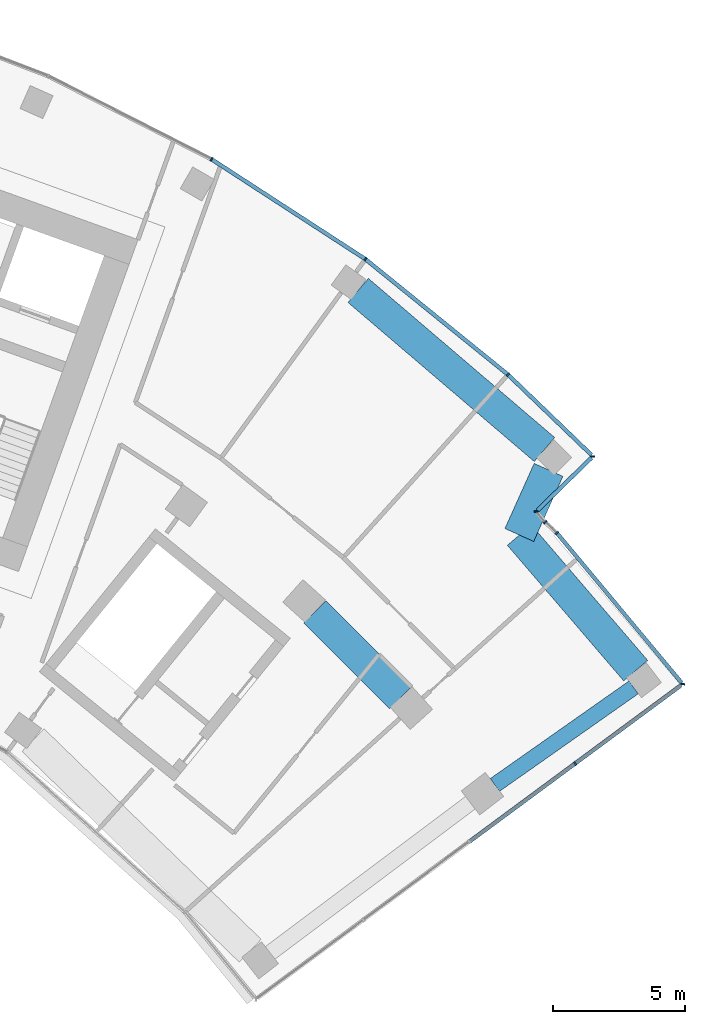
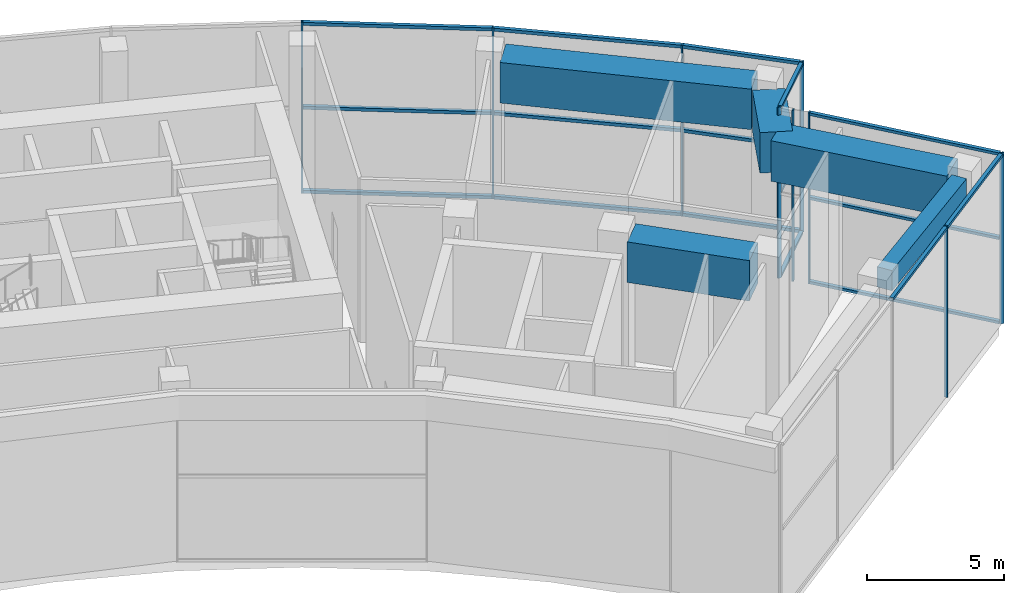
# One storey, part 10 of 26: 26 members, 5 beams, 6 elements without a shape of their own.
"""IFC4 building model written with IfcOpenShell, lengths in metres."""

from ifc_helpers import new_model, si_unit, direction, frame, origin, origin_2d, place, context, subcontext, project, spatial, rectangle, extrude, material, layer, layer_set, material_profile, profile_set, type_object, element, aggregate, save


model = new_model("IFC4")

# Units and contexts
model_context = context("Model", 3, precision=1e-05, world=origin(), true_north=direction((0.0, 1.0)))
body_context = subcontext(model_context, "Body", "Model", "MODEL_VIEW")
ifc_project = project(units=[si_unit("LENGTHUNIT", "METRE"), si_unit("AREAUNIT", "SQUARE_METRE"), si_unit("VOLUMEUNIT", "CUBIC_METRE"), si_unit("PLANEANGLEUNIT", "RADIAN"), si_unit("MASSUNIT", "GRAM", prefix="KILO")], contexts=[model_context])

# Site, building, storey
site_placement = place(None, origin())
site = spatial("IfcSite", under=ifc_project, at=site_placement, CompositionType="ELEMENT")
building_placement = place(site_placement, origin())
building = spatial("IfcBuilding", under=site, at=building_placement, Name="Stone Belt Terrace Tower", CompositionType="ELEMENT")
storey_placement = place(building_placement, frame((0.0, 0.0, 250.39990234375)))
storey = spatial("IfcBuildingStorey", under=building, at=storey_placement, Name="L61", CompositionType="ELEMENT", Elevation=250.39990234375)

# Curtain wall, members
ifc_material_1 = material(Name="Aluminium 6063-T6 anodised frame", Category="aluminium")
ifc_layer_1 = layer(ifc_material_1, 0.14990234375)
ifc_layer_set_1 = layer_set([ifc_layer_1], Name="CW-A unitised convex-face curtain wall")
curtain_wall_type_1 = type_object("IfcCurtainWallType", Name="CW-A unitised convex-face curtain wall", PredefinedType="NOTDEFINED", material=ifc_layer_set_1)
curtain_wall_1_placement = place(storey_placement, origin())
curtain_wall_1 = element("IfcCurtainWall", 1, at=curtain_wall_1_placement, inside=storey, type_object=curtain_wall_type_1, Name="CW-A convex face L61", PredefinedType="NOTDEFINED")
ifc_material_profile_1 = material_profile(ifc_material_1, rectangle(XDim=0.14990234375, YDim=0.06005859375, at=origin_2d()), Name="Aluminium 6063-T6 60x150")
ifc_profile_set_1 = profile_set([ifc_material_profile_1], Name="Aluminium 6063-T6 anodised frame")
member_type_1 = type_object("IfcMemberType", Name="CW-A mullion 60 x 150", PredefinedType="MULLION", material=ifc_profile_set_1)
member_1_placement = place(storey_placement, frame((47.775390625, 46.369140625, 0.0), z_axis=(0.0, 0.0, 1.0), x_axis=(-0.999996264646, -0.002733257028, 0.0)))
member_1 = element("IfcMember", 2, at=member_1_placement, type_object=member_type_1, Name="CW-A mullion 1", PredefinedType="MULLION", context=body_context, shape_type="SweptSolid", body=[
    extrude(rectangle(XDim=0.14990234375, YDim=0.06005859375, at=origin_2d()), origin(), (0.0, 0.0, 1.0), 7.60009765625),
])
member_2_placement = place(storey_placement, frame((44.546875, 49.475341796875, 0.0), z_axis=(0.0, 0.0, 1.0), x_axis=(-0.661937409618, -0.749559114245, 0.0)))
member_2 = element("IfcMember", 3, at=member_2_placement, type_object=member_type_1, Name="CW-A mullion 2", PredefinedType="MULLION", context=body_context, shape_type="SweptSolid", body=[
    extrude(rectangle(XDim=0.14990234375, YDim=0.06005859375, at=origin_2d()), origin(), (0.0, 0.0, 1.0), 7.60009765625),
])
member_3_placement = place(storey_placement, frame((39.1318359375, 53.8603515625, 0.0), z_axis=(0.0, 0.0, 1.0), x_axis=(-0.587785252292, -0.809016994375, 0.0)))
member_3 = element("IfcMember", 4, at=member_3_placement, type_object=member_type_1, Name="CW-A mullion 3", PredefinedType="MULLION", context=body_context, shape_type="SweptSolid", body=[
    extrude(rectangle(XDim=0.14990234375, YDim=0.06005859375, at=origin_2d()), origin(), (0.0, 0.0, 1.0), 7.60009765625),
])
member_4_placement = place(storey_placement, frame((33.28759765625, 57.65576171875, 0.0), z_axis=(0.0, 0.0, 1.0), x_axis=(-0.5, -0.866025403784, 0.0)))
member_4 = element("IfcMember", 5, at=member_4_placement, type_object=member_type_1, Name="CW-A mullion 4", PredefinedType="MULLION", context=body_context, shape_type="SweptSolid", body=[
    extrude(rectangle(XDim=0.14990234375, YDim=0.06005859375, at=origin_2d()), origin(), (0.0, 0.0, 1.0), 7.60009765625),
])
ifc_material_profile_2 = material_profile(ifc_material_1, rectangle(XDim=0.14990234375, YDim=0.139892578125, at=origin_2d()), Name="Aluminium 6063-T6 150x140")
ifc_profile_set_2 = profile_set([ifc_material_profile_2], Name="Aluminium 6063-T6 anodised frame")
member_type_2 = type_object("IfcMemberType", Name="CW-A transom 140 x 150", PredefinedType="USERDEFINED", material=ifc_profile_set_2)
member_5_placement = place(storey_placement, frame((47.721435546875, 46.4208984375, 0.070068359375), z_axis=(-0.720600183576, 0.693350831419, 0.0), x_axis=(-0.693350831419, -0.720600183576, 0.0)))
member_5 = element("IfcMember", 6, at=member_5_placement, type_object=member_type_2, Name="CW-A transom 1.1", ObjectType="TRANSOM", PredefinedType="USERDEFINED", context=body_context, shape_type="SweptSolid", body=[
    extrude(rectangle(XDim=0.14990234375, YDim=0.139892578125, at=origin_2d()), origin(), (0.0, 0.0, 1.0), 4.372314453125),
])
member_6_placement = place(storey_placement, frame((47.721435546875, 46.4208984375, 3.800048828125), z_axis=(-0.720600183576, 0.693350831419, 0.0), x_axis=(-0.693350831419, -0.720600183576, 0.0)))
member_6 = element("IfcMember", 7, at=member_6_placement, type_object=member_type_2, Name="CW-A transom 1.2", ObjectType="TRANSOM", PredefinedType="USERDEFINED", context=body_context, shape_type="SweptSolid", body=[
    extrude(rectangle(XDim=0.14990234375, YDim=0.139892578125, at=origin_2d()), origin(), (0.0, 0.0, 1.0), 4.372314453125),
])
member_7_placement = place(storey_placement, frame((47.721435546875, 46.4208984375, 7.530029296875), z_axis=(-0.720600183576, 0.693350831419, 0.0), x_axis=(-0.693350831419, -0.720600183576, 0.0)))
member_7 = element("IfcMember", 8, at=member_7_placement, type_object=member_type_2, Name="CW-A transom 1.3", ObjectType="TRANSOM", PredefinedType="USERDEFINED", context=body_context, shape_type="SweptSolid", body=[
    extrude(rectangle(XDim=0.14990234375, YDim=0.139892578125, at=origin_2d()), origin(), (0.0, 0.0, 1.0), 4.372314453125),
])
member_8_placement = place(storey_placement, frame((44.52099609375, 49.496337890625, 0.070068359375), z_axis=(-0.777141048626, 0.629326457842, 0.0), x_axis=(-0.629326457842, -0.777141048626, 0.0)))
member_8 = element("IfcMember", 9, at=member_8_placement, type_object=member_type_2, Name="CW-A transom 2.1", ObjectType="TRANSOM", PredefinedType="USERDEFINED", context=body_context, shape_type="SweptSolid", body=[
    extrude(rectangle(XDim=0.14990234375, YDim=0.139892578125, at=origin_2d()), origin(), (0.0, 0.0, 1.0), 6.900634765625),
])
member_9_placement = place(storey_placement, frame((44.52099609375, 49.496337890625, 3.800048828125), z_axis=(-0.777141048626, 0.629326457842, 0.0), x_axis=(-0.629326457842, -0.777141048626, 0.0)))
member_9 = element("IfcMember", 10, at=member_9_placement, type_object=member_type_2, Name="CW-A transom 2.2", ObjectType="TRANSOM", PredefinedType="USERDEFINED", context=body_context, shape_type="SweptSolid", body=[
    extrude(rectangle(XDim=0.14990234375, YDim=0.139892578125, at=origin_2d()), origin(), (0.0, 0.0, 1.0), 6.900634765625),
])
member_10_placement = place(storey_placement, frame((44.52099609375, 49.496337890625, 7.530029296875), z_axis=(-0.777141048626, 0.629326457842, 0.0), x_axis=(-0.629326457842, -0.777141048626, 0.0)))
member_10 = element("IfcMember", 11, at=member_10_placement, type_object=member_type_2, Name="CW-A transom 2.3", ObjectType="TRANSOM", PredefinedType="USERDEFINED", context=body_context, shape_type="SweptSolid", body=[
    extrude(rectangle(XDim=0.14990234375, YDim=0.139892578125, at=origin_2d()), origin(), (0.0, 0.0, 1.0), 6.900634765625),
])
member_11_placement = place(storey_placement, frame((39.103515625, 53.87890625, 0.070068359375), z_axis=(-0.83868440714, 0.544617723931, 0.0), x_axis=(-0.544617723931, -0.83868440714, 0.0)))
member_11 = element("IfcMember", 12, at=member_11_placement, type_object=member_type_2, Name="CW-A transom 3.1", ObjectType="TRANSOM", PredefinedType="USERDEFINED", context=body_context, shape_type="SweptSolid", body=[
    extrude(rectangle(XDim=0.14990234375, YDim=0.139892578125, at=origin_2d()), origin(), (0.0, 0.0, 1.0), 6.90087890625),
])
member_12_placement = place(storey_placement, frame((39.103515625, 53.87890625, 3.800048828125), z_axis=(-0.83868440714, 0.544617723931, 0.0), x_axis=(-0.544617723931, -0.83868440714, 0.0)))
member_12 = element("IfcMember", 13, at=member_12_placement, type_object=member_type_2, Name="CW-A transom 3.2", ObjectType="TRANSOM", PredefinedType="USERDEFINED", context=body_context, shape_type="SweptSolid", body=[
    extrude(rectangle(XDim=0.14990234375, YDim=0.139892578125, at=origin_2d()), origin(), (0.0, 0.0, 1.0), 6.90087890625),
])
member_13_placement = place(storey_placement, frame((39.103515625, 53.87890625, 7.530029296875), z_axis=(-0.83868440714, 0.544617723931, 0.0), x_axis=(-0.544617723931, -0.83868440714, 0.0)))
member_13 = element("IfcMember", 14, at=member_13_placement, type_object=member_type_2, Name="CW-A transom 3.3", ObjectType="TRANSOM", PredefinedType="USERDEFINED", context=body_context, shape_type="SweptSolid", body=[
    extrude(rectangle(XDim=0.14990234375, YDim=0.139892578125, at=origin_2d()), origin(), (0.0, 0.0, 1.0), 6.90087890625),
])
aggregate(curtain_wall_1, [member_1, member_2, member_3, member_4, member_5, member_6, member_7, member_8, member_9, member_10, member_11, member_12, member_13])

# Curtain wall, member
ifc_layer_2 = layer(ifc_material_1, 0.14990234375)
ifc_layer_set_2 = layer_set([ifc_layer_2], Name="CW-C stick curtain wall, horn ends and notches")
curtain_wall_type_2 = type_object("IfcCurtainWallType", Name="CW-C stick curtain wall, horn ends and notches", PredefinedType="NOTDEFINED", material=ifc_layer_set_2)
curtain_wall_2_placement = place(storey_placement, origin())
curtain_wall_2 = element("IfcCurtainWall", 15, at=curtain_wall_2_placement, inside=storey, type_object=curtain_wall_type_2, Name="CW-C end face L61", PredefinedType="NOTDEFINED")
ifc_material_profile_3 = material_profile(ifc_material_1, rectangle(XDim=0.14990234375, YDim=0.06005859375, at=origin_2d()), Name="Aluminium 6063-T6 60x150")
ifc_profile_set_3 = profile_set([ifc_material_profile_3], Name="Aluminium 6063-T6 anodised frame")
member_type_3 = type_object("IfcMemberType", Name="CW-C mullion 60 x 150", PredefinedType="MULLION", material=ifc_profile_set_3)
member_14_placement = place(storey_placement, frame((47.097900390625, 34.699462890625, 0.0), z_axis=(0.0, 0.0, 1.0), x_axis=(-0.594184091865, 0.804329077539, 0.0)))
member_14 = element("IfcMember", 16, at=member_14_placement, type_object=member_type_3, Name="CW-C mullion 4", PredefinedType="MULLION", context=body_context, shape_type="SweptSolid", body=[
    extrude(rectangle(XDim=0.14990234375, YDim=0.06005859375, at=origin_2d()), origin(), (0.0, 0.0, 1.0), 7.60009765625),
])

curtain_wall_3_placement = place(storey_placement, origin())
curtain_wall_3 = element("IfcCurtainWall", 17, at=curtain_wall_3_placement, inside=storey, type_object=curtain_wall_type_2, Name="CW-C notch face L61", PredefinedType="NOTDEFINED")
member_15_placement = place(storey_placement, frame((51.183349609375, 37.717529296875, 0.0), z_axis=(0.0, 0.0, 1.0), x_axis=(-0.992801884656, 0.119768183683, 0.0)))
member_15 = element("IfcMember", 18, at=member_15_placement, type_object=member_type_3, Name="CW-C mullion 1", PredefinedType="MULLION", context=body_context, shape_type="SweptSolid", body=[
    extrude(rectangle(XDim=0.14990234375, YDim=0.06005859375, at=origin_2d()), origin(), (0.0, 0.0, 1.0), 7.60009765625),
])

curtain_wall_4_placement = place(storey_placement, origin())
curtain_wall_4 = element("IfcCurtainWall", 19, at=curtain_wall_4_placement, inside=storey, type_object=curtain_wall_type_2, Name="CW-C end face L61", PredefinedType="NOTDEFINED")
member_16_placement = place(storey_placement, frame((46.403564453125, 43.45703125, 0.0), z_axis=(0.0, 0.0, 1.0), x_axis=(-0.726653481569, -0.687004161359, 0.0)))
member_16 = element("IfcMember", 20, at=member_16_placement, type_object=member_type_3, Name="CW-C mullion 1", PredefinedType="MULLION", context=body_context, shape_type="SweptSolid", body=[
    extrude(rectangle(XDim=0.14990234375, YDim=0.06005859375, at=origin_2d()), origin(), (0.0, 0.0, 1.0), 7.60009765625),
])
aggregate(curtain_wall_4, [member_16])

curtain_wall_5_placement = place(storey_placement, origin())
curtain_wall_5 = element("IfcCurtainWall", 21, at=curtain_wall_5_placement, inside=storey, type_object=curtain_wall_type_2, Name="CW-C end face L61", PredefinedType="NOTDEFINED")
member_17_placement = place(storey_placement, frame((45.9619140625, 43.868896484375, 0.0), z_axis=(0.0, 0.0, 1.0), x_axis=(-0.723386391958, -0.690443428479, 0.0)))
member_17 = element("IfcMember", 22, at=member_17_placement, type_object=member_type_3, Name="CW-C mullion 1", PredefinedType="MULLION", context=body_context, shape_type="SweptSolid", body=[
    extrude(rectangle(XDim=0.14990234375, YDim=0.06005859375, at=origin_2d()), origin(), (0.0, 0.0, 1.0), 7.60009765625),
])
aggregate(curtain_wall_5, [member_17])

curtain_wall_6_placement = place(storey_placement, origin())
curtain_wall_6 = element("IfcCurtainWall", 23, at=curtain_wall_6_placement, inside=storey, type_object=curtain_wall_type_2, Name="CW-C notch face L61", PredefinedType="NOTDEFINED")
member_18_placement = place(storey_placement, frame((45.61962890625, 44.27197265625, 0.0), z_axis=(0.0, 0.0, 1.0), x_axis=(-0.998865261612, 0.047625509398, 0.0)))
member_18 = element("IfcMember", 24, at=member_18_placement, type_object=member_type_3, Name="CW-C mullion 1", PredefinedType="MULLION", context=body_context, shape_type="SweptSolid", body=[
    extrude(rectangle(XDim=0.14990234375, YDim=0.06005859375, at=origin_2d()), origin(), (0.0, 0.0, 1.0), 7.60009765625),
])

# Member
ifc_material_profile_4 = material_profile(ifc_material_1, rectangle(XDim=0.14990234375, YDim=0.1201171875, at=origin_2d()), Name="Aluminium 6063-T6 150x120")
ifc_profile_set_4 = profile_set([ifc_material_profile_4], Name="Aluminium 6063-T6 anodised frame")
member_type_4 = type_object("IfcMemberType", Name="CW-C transom 120 x 150", PredefinedType="USERDEFINED", material=ifc_profile_set_4)
member_19_placement = place(storey_placement, frame((43.100341796875, 31.746337890625, 7.5400390625), z_axis=(0.804326070416, 0.594188162495, 0.0), x_axis=(-0.594188162495, 0.804326070416, 0.0)))
member_19 = element("IfcMember", 25, at=member_19_placement, type_object=member_type_4, Name="CW-C transom 3.1", ObjectType="TRANSOM", PredefinedType="USERDEFINED", context=body_context, shape_type="SweptSolid", body=[
    extrude(rectangle(XDim=0.14990234375, YDim=0.1201171875, at=origin_2d()), origin(), (0.0, 0.0, 1.0), 4.93994140625),
])

member_20_placement = place(storey_placement, frame((47.121826171875, 34.71728515625, 7.5400390625), z_axis=(0.804354601318, 0.594149539542, 0.0), x_axis=(-0.594149539542, 0.804354601318, 0.0)))
member_20 = element("IfcMember", 26, at=member_20_placement, type_object=member_type_4, Name="CW-C transom 4.1", ObjectType="TRANSOM", PredefinedType="USERDEFINED", context=body_context, shape_type="SweptSolid", body=[
    extrude(rectangle(XDim=0.14990234375, YDim=0.1201171875, at=origin_2d()), origin(), (0.0, 0.0, 1.0), 4.974365234375),
])

aggregate(curtain_wall_2, [member_14, member_19, member_20])

member_21_placement = place(storey_placement, frame((51.13525390625, 37.775390625, 0.06005859375), z_axis=(-0.639939635911, 0.768425183339, 0.0), x_axis=(-0.768425183339, -0.639939635911, 0.0)))
member_21 = element("IfcMember", 27, at=member_21_placement, type_object=member_type_4, Name="CW-C transom 1.1", ObjectType="TRANSOM", PredefinedType="USERDEFINED", context=body_context, shape_type="SweptSolid", body=[
    extrude(rectangle(XDim=0.14990234375, YDim=0.1201171875, at=origin_2d()), origin(), (0.0, 0.0, 1.0), 7.359130859375),
])

member_22_placement = place(storey_placement, frame((51.13525390625, 37.775390625, 3.800048828125), z_axis=(-0.639939635911, 0.768425183339, 0.0), x_axis=(-0.768425183339, -0.639939635911, 0.0)))
member_22 = element("IfcMember", 28, at=member_22_placement, type_object=member_type_4, Name="CW-C transom 1.2", ObjectType="TRANSOM", PredefinedType="USERDEFINED", context=body_context, shape_type="SweptSolid", body=[
    extrude(rectangle(XDim=0.14990234375, YDim=0.1201171875, at=origin_2d()), origin(), (0.0, 0.0, 1.0), 7.359130859375),
])

member_23_placement = place(storey_placement, frame((51.13525390625, 37.775390625, 7.5400390625), z_axis=(-0.639939635911, 0.768425183339, 0.0), x_axis=(-0.768425183339, -0.639939635911, 0.0)))
member_23 = element("IfcMember", 29, at=member_23_placement, type_object=member_type_4, Name="CW-C transom 1.3", ObjectType="TRANSOM", PredefinedType="USERDEFINED", context=body_context, shape_type="SweptSolid", body=[
    extrude(rectangle(XDim=0.14990234375, YDim=0.1201171875, at=origin_2d()), origin(), (0.0, 0.0, 1.0), 7.359130859375),
])

aggregate(curtain_wall_3, [member_15, member_21, member_22, member_23])

member_24_placement = place(storey_placement, frame((45.671875, 44.322998046875, 0.06005859375), z_axis=(0.716814728684, 0.697263683797, 0.0), x_axis=(-0.697263683797, 0.716814728684, 0.0)))
member_24 = element("IfcMember", 30, at=member_24_placement, type_object=member_type_4, Name="CW-C transom 1.1", ObjectType="TRANSOM", PredefinedType="USERDEFINED", context=body_context, shape_type="SweptSolid", body=[
    extrude(rectangle(XDim=0.14990234375, YDim=0.1201171875, at=origin_2d()), origin(), (0.0, 0.0, 1.0), 2.859619140625),
])

member_25_placement = place(storey_placement, frame((45.671875, 44.322998046875, 3.800048828125), z_axis=(0.716814728684, 0.697263683797, 0.0), x_axis=(-0.697263683797, 0.716814728684, 0.0)))
member_25 = element("IfcMember", 31, at=member_25_placement, type_object=member_type_4, Name="CW-C transom 1.2", ObjectType="TRANSOM", PredefinedType="USERDEFINED", context=body_context, shape_type="SweptSolid", body=[
    extrude(rectangle(XDim=0.14990234375, YDim=0.1201171875, at=origin_2d()), origin(), (0.0, 0.0, 1.0), 2.859619140625),
])

member_26_placement = place(storey_placement, frame((45.671875, 44.322998046875, 7.5400390625), z_axis=(0.716814728684, 0.697263683797, 0.0), x_axis=(-0.697263683797, 0.716814728684, 0.0)))
member_26 = element("IfcMember", 32, at=member_26_placement, type_object=member_type_4, Name="CW-C transom 1.3", ObjectType="TRANSOM", PredefinedType="USERDEFINED", context=body_context, shape_type="SweptSolid", body=[
    extrude(rectangle(XDim=0.14990234375, YDim=0.1201171875, at=origin_2d()), origin(), (0.0, 0.0, 1.0), 2.859619140625),
])

aggregate(curtain_wall_6, [member_18, member_24, member_25, member_26])

# Beams
ifc_material_2 = material(Name="Concrete B60", Category="concrete")
ifc_material_profile_5 = material_profile(ifc_material_2, rectangle(XDim=0.60009765625, YDim=0.89990234375, at=origin_2d()), Name="RC 600x900")
ifc_profile_set_5 = profile_set([ifc_material_profile_5], Name="Concrete B60")
beam_type_1 = type_object("IfcBeamType", Name="Edge beam RC 600x900 B60", PredefinedType="SPANDREL", material=ifc_profile_set_5)
beam_1_placement = place(storey_placement, frame((44.049560546875, 33.885498046875, 6.800048828125), z_axis=(0.817996569297, 0.575223098126, 0.0), x_axis=(-0.575223098126, 0.817996569297, 0.0)))
element("IfcBeam", 33, at=beam_1_placement, inside=storey, type_object=beam_type_1, Name="Edge beam L61 B Q to R", PredefinedType="SPANDREL", context=body_context, shape_type="SweptSolid", body=[
    extrude(rectangle(XDim=0.60009765625, YDim=0.89990234375, at=origin_2d()), origin(), (0.0, 0.0, 1.0), 6.444091796875),
])
ifc_material_3 = material(Name="Concrete B80", Category="concrete")
ifc_material_profile_6 = material_profile(ifc_material_3, rectangle(XDim=1.199951171875, YDim=1.800048828125, at=origin_2d()), Name="RC 1200x1800")
ifc_profile_set_6 = profile_set([ifc_material_profile_6], Name="Concrete B80")
beam_type_2 = type_object("IfcBeamType", Name="Transfer girder RC 1200x1800 B80", PredefinedType="BEAM", material=ifc_profile_set_6)
beam_2_placement = place(storey_placement, frame((37.209228515625, 40.4658203125, 6.35009765625), z_axis=(0.707106781187, -0.707106781187, 0.0), x_axis=(0.707106781187, 0.707106781187, 0.0)))
element("IfcBeam", 34, at=beam_2_placement, inside=storey, type_object=beam_type_2, Name="Transfer beam L61 QQ29-Q30", PredefinedType="BEAM", context=body_context, shape_type="SweptSolid", body=[
    extrude(rectangle(XDim=1.199951171875, YDim=1.800048828125, at=origin_2d()), origin(), (0.0, 0.0, 1.0), 4.60546875),
])
beam_3_placement = place(storey_placement, frame((46.08837890625, 45.855224609375, 6.35009765625), z_axis=(-0.409743280312, -0.912200879324, 0.0), x_axis=(0.912200879324, -0.409743280312, 0.0)))
element("IfcBeam", 35, at=beam_3_placement, inside=storey, type_object=beam_type_2, Name="Transfer beam L61 RRNB-RB", PredefinedType="BEAM", context=body_context, shape_type="SweptSolid", body=[
    extrude(rectangle(XDim=1.199951171875, YDim=1.800048828125, at=origin_2d()), origin(), (0.0, 0.0, 1.0), 2.712158203125),
])
beam_4_placement = place(storey_placement, frame((44.97705078125, 43.381103515625, 6.35009765625), z_axis=(0.651185014418, -0.758919018735, 0.0), x_axis=(0.758919018735, 0.651185014418, 0.0)))
element("IfcBeam", 36, at=beam_4_placement, inside=storey, type_object=beam_type_2, Name="Transfer beam L61 RRB-RB", PredefinedType="BEAM", context=body_context, shape_type="SweptSolid", body=[
    extrude(rectangle(XDim=1.199951171875, YDim=1.800048828125, at=origin_2d()), origin(), (0.0, 0.0, 1.0), 6.791748046875),
])
beam_5_placement = place(storey_placement, frame((38.855712890625, 52.672119140625, 6.35009765625), z_axis=(0.760488361177, -0.649351563111, 0.0), x_axis=(0.649351563111, 0.760488361177, 0.0)))
element("IfcBeam", 37, at=beam_5_placement, inside=storey, type_object=beam_type_2, Name="Transfer beam L61 RR28-RNB", PredefinedType="BEAM", context=body_context, shape_type="SweptSolid", body=[
    extrude(rectangle(XDim=1.199951171875, YDim=1.800048828125, at=origin_2d()), origin(), (0.0, 0.0, 1.0), 9.3076171875),
])

save(model, "model.ifc")
